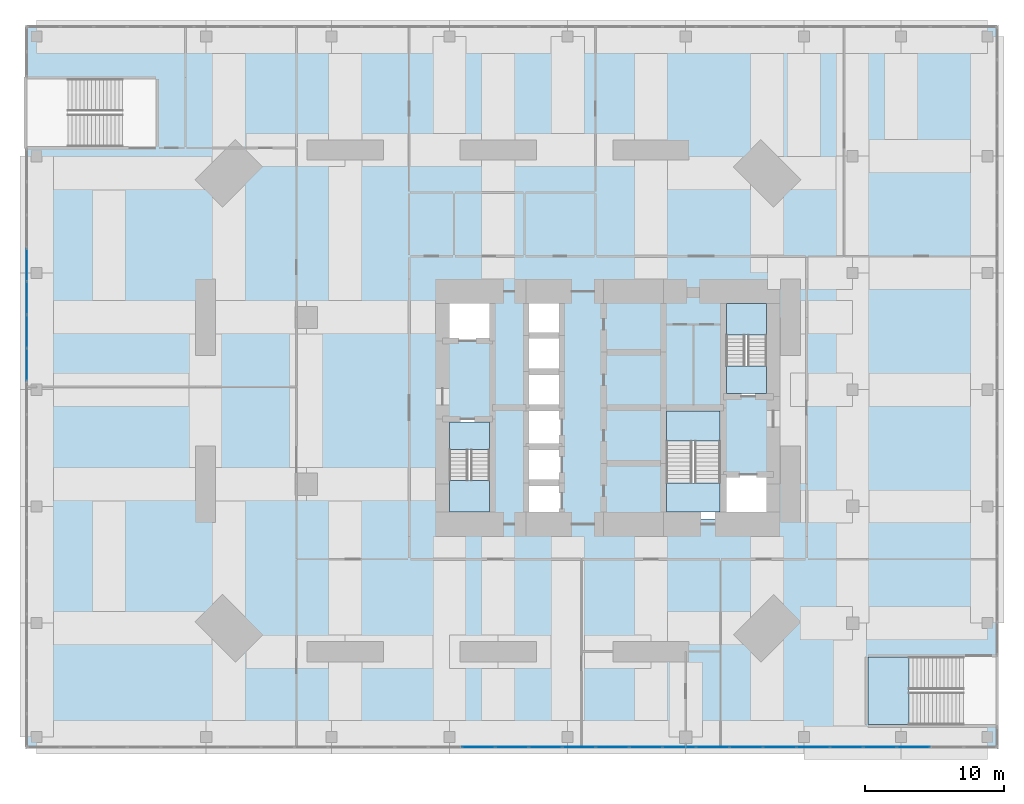
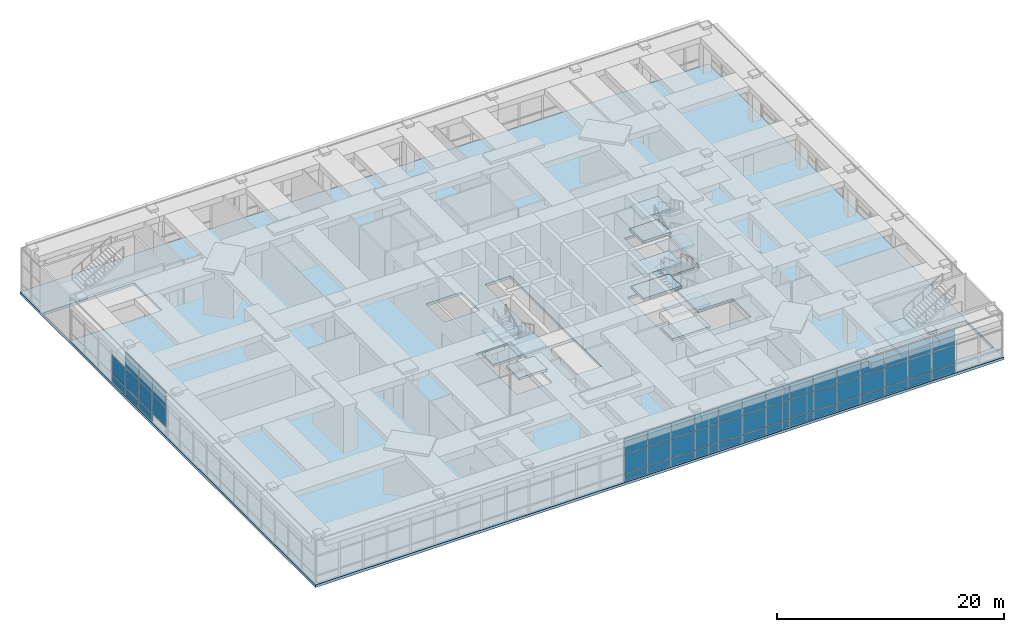
# One storey, part 14 of 22: 52 plates, 14 slabs, 6 elements without a shape of their own.
"""IFC4 building model written with IfcOpenShell, lengths in metres."""

import ifcopenshell
import ifcopenshell.guid

model = None  # the IFC model being written
_history = None  # IfcOwnerHistory: only IFC2X3 demands one
_inside = {}  # id of a spatial element -> (the spatial element, [elements in it])
_under = {}  # id of a project, library or spatial element -> (it, [spatial elements below it])
_declared = {}  # id of a project -> (the project, [libraries it declares])
_typed = {}  # id of a type object -> (the type object, [elements of that type])
_made_of = {}  # id of a material, layer set ... -> (it, [elements and type objects made of it])


def new_model(schema):
    """Start an empty IFC model of exactly this schema.

    Asked for "IFC4X3", IfcOpenShell would pick the latest addendum, in which some entities
    have other attributes; the version numbers below select the first issue.
    IFC2X3 requires an IfcOwnerHistory on every rooted entity: one is made here for all.
    """
    global model, _history
    if schema == "IFC4X3":
        model = ifcopenshell.file(schema_version=(4, 3, 0, 0))
    else:
        model = ifcopenshell.file(schema=schema)
    _inside.clear()
    _under.clear()
    _declared.clear()
    _typed.clear()
    _made_of.clear()
    _history = None
    if model.schema == "IFC2X3":
        org = make("IfcOrganization", Name="unknown")
        user = make(
            "IfcPersonAndOrganization",
            ThePerson=make("IfcPerson", FamilyName="unknown"),
            TheOrganization=org,
        )
        app = make(
            "IfcApplication",
            ApplicationDeveloper=org,
            Version="unknown",
            ApplicationFullName="unknown",
            ApplicationIdentifier="unknown",
        )
        _history = make(
            "IfcOwnerHistory",
            OwningUser=user,
            OwningApplication=app,
            ChangeAction="ADDED",
            CreationDate=0,
        )
    return model


def make(cls, **values):
    """One entity of the class cls with the attributes given. An attribute that is None is left unset."""
    return model.create_entity(
        cls, **{name: value for name, value in values.items() if value is not None}
    )


def rooted(cls, **values):
    """An entity with a GlobalId (a new one), such as an element, a storey or a relation."""
    return make(cls, GlobalId=ifcopenshell.guid.new(), OwnerHistory=_history, **values)


def si_unit(unit_type, name, prefix=None):
    """IfcSIUnit, for example si_unit("LENGTHUNIT", "METRE", prefix="MILLI")."""
    return make("IfcSIUnit", UnitType=unit_type, Prefix=prefix, Name=name)


def assignment(units):
    """IfcUnitAssignment: the units of a project."""
    return None if units is None else make("IfcUnitAssignment", Units=units)


def point(xyz):
    """IfcCartesianPoint."""
    return None if xyz is None else make("IfcCartesianPoint", Coordinates=xyz)


def direction(xyz):
    """IfcDirection."""
    return None if xyz is None else make("IfcDirection", DirectionRatios=xyz)


def frame(location, z_axis=None, x_axis=None):
    """IfcAxis2Placement3D, a coordinate frame: its origin and axes. An axis left out is left unset."""
    return make(
        "IfcAxis2Placement3D",
        Location=point(location),
        Axis=direction(z_axis),
        RefDirection=direction(x_axis),
    )


def frame_2d(location, x_axis=None):
    """IfcAxis2Placement2D, a coordinate frame in the plane: its origin and x axis."""
    return make(
        "IfcAxis2Placement2D", Location=point(location), RefDirection=direction(x_axis)
    )


def origin():
    """The frame at (0, 0, 0) with its axes left unset."""
    return frame((0.0, 0.0, 0.0))


def origin_2d():
    """The frame at (0, 0) in the plane with its x axis left unset."""
    return frame_2d((0.0, 0.0))


def place(relative_to, where):
    """IfcLocalPlacement: puts the frame where relative to a parent placement (None: the world)."""
    return make(
        "IfcLocalPlacement", PlacementRelTo=relative_to, RelativePlacement=where
    )


def context(
    kind, dimensions, precision=None, world=None, true_north=None, identifier=None
):
    """IfcGeometricRepresentationContext, for example the 3D "Model" context."""
    return make(
        "IfcGeometricRepresentationContext",
        ContextIdentifier=identifier,
        ContextType=kind,
        CoordinateSpaceDimension=dimensions,
        Precision=precision,
        WorldCoordinateSystem=world,
        TrueNorth=true_north,
    )


def subcontext(parent, identifier, kind, view, scale=None):
    """IfcGeometricRepresentationSubContext, for example "Body" below "Model"."""
    return make(
        "IfcGeometricRepresentationSubContext",
        ContextIdentifier=identifier,
        ContextType=kind,
        ParentContext=parent,
        TargetScale=scale,
        TargetView=view,
    )


def project(units=None, contexts=None):
    """IfcProject with its units and contexts."""
    return rooted(
        "IfcProject",
        Name="project",
        RepresentationContexts=contexts,
        UnitsInContext=assignment(units),
    )


def spatial(cls, under=None, at=None, **own):
    """A site, building, storey or space (cls), placed at a placement, below another one or the project."""
    s = rooted(cls, ObjectPlacement=at, **own)
    if under is not None:
        _under.setdefault(under.id(), (under, []))[1].append(s)
    return s


def polyline(points):
    """IfcPolyline through the points."""
    return make("IfcPolyline", Points=[point(p) for p in points])


def profile(cls, at=None, kind="AREA", **sizes):
    """A parametric profile (cls). Its sizes go by their IFC names, for example OverallWidth=200.0."""
    return make(cls, ProfileType=kind, Position=at, **sizes)


def rectangle(**sizes):
    """IfcRectangleProfileDef."""
    return profile("IfcRectangleProfileDef", **sizes)


def outline(outer, holes=None, kind="AREA"):
    """IfcArbitraryClosedProfileDef: a profile drawn as a closed curve; with holes, ...WithVoids."""
    if holes is None:
        return make("IfcArbitraryClosedProfileDef", ProfileType=kind, OuterCurve=outer)
    return make(
        "IfcArbitraryProfileDefWithVoids",
        ProfileType=kind,
        OuterCurve=outer,
        InnerCurves=holes,
    )


def extrude(swept, where, along, depth):
    """IfcExtrudedAreaSolid: the profile swept, set in the frame where, extruded along a direction by depth."""
    return make(
        "IfcExtrudedAreaSolid",
        SweptArea=swept,
        Position=where,
        ExtrudedDirection=direction(along),
        Depth=depth,
    )


def shape(context_of_items, identifier, shape_type, items):
    """IfcShapeRepresentation: the items that make up one representation, for example the "Body"."""
    return make(
        "IfcShapeRepresentation",
        ContextOfItems=context_of_items,
        RepresentationIdentifier=identifier,
        RepresentationType=shape_type,
        Items=items,
    )


def material(Name=None, Category=None):
    """IfcMaterial."""
    return make("IfcMaterial", Name=Name, Category=Category)


def layer(
    of_material, thickness, ventilated=None, Name=None, Category=None, Priority=None
):
    """IfcMaterialLayer: one layer of a wall or slab, of a material (None: an air gap)."""
    return make(
        "IfcMaterialLayer",
        Material=of_material,
        LayerThickness=thickness,
        IsVentilated=ventilated,
        Name=Name,
        Category=Category,
        Priority=Priority,
    )


def layer_set(layers, Name=None):
    """IfcMaterialLayerSet."""
    return make("IfcMaterialLayerSet", MaterialLayers=layers, LayerSetName=Name)


def made_of(thing, what):
    """Note that an element or type object is made of a material, layer set ...; save() writes the relation."""
    if what is not None:
        _made_of.setdefault(what.id(), (what, []))[1].append(thing)
    return thing


def type_object(cls, material=None, **own):
    """A type object (cls), such as IfcWallType, which elements share."""
    return made_of(rooted(cls, **own), material)


def element(
    cls,
    number,
    at=None,
    inside=None,
    cuts=None,
    type_object=None,
    material=None,
    context=None,
    identifier="Body",
    shape_type=None,
    held_by="IfcProductDefinitionShape",
    body=None,
    shapes=None,
    **own,
):
    """One element of the class cls, such as IfcWall. Its Tag is "e" and its number.

    at: its placement. inside: the storey or other place that contains it. cuts: it is an
    opening in that element (IfcRelVoidsElement). A single representation is given by context,
    identifier, shape_type and body (its items); several are given by shapes. held_by: the class
    of the entity that holds the representations. save() writes the other relations.
    """
    e = rooted(cls, Tag="e%d" % number, ObjectPlacement=at, **own)
    if body is not None:
        shapes = [shape(context, identifier, shape_type, body)]
    if shapes is not None:
        e.Representation = make(held_by, Representations=shapes)
    if inside is not None:
        _inside.setdefault(inside.id(), (inside, []))[1].append(e)
    if cuts is not None:
        rooted(
            "IfcRelVoidsElement", RelatingBuildingElement=cuts, RelatedOpeningElement=e
        )
    if type_object is not None:
        _typed.setdefault(type_object.id(), (type_object, []))[1].append(e)
    return made_of(e, material)


def aggregate(whole, parts):
    """IfcRelAggregates: a whole, such as a stair, and the parts it consists of."""
    return rooted("IfcRelAggregates", RelatingObject=whole, RelatedObjects=parts)


def save(model, path):
    """Write the relations noted so far, then the file.

    IfcRelAggregates (storeys below a building ...), IfcRelContainedInSpatialStructure (elements
    in a storey), IfcRelDefinesByType, IfcRelAssociatesMaterial and IfcRelDeclares: one each for
    every whole, place, type object, material and project.
    """
    for whole, parts in _under.values():
        aggregate(whole, parts)
    for where, things in _inside.values():
        rooted(
            "IfcRelContainedInSpatialStructure",
            RelatedElements=things,
            RelatingStructure=where,
        )
    for kind, things in _typed.values():
        rooted("IfcRelDefinesByType", RelatedObjects=things, RelatingType=kind)
    for what, things in _made_of.values():
        rooted("IfcRelAssociatesMaterial", RelatedObjects=things, RelatingMaterial=what)
    for by, libraries in _declared.values():
        rooted("IfcRelDeclares", RelatingContext=by, RelatedDefinitions=libraries)
    model.write(path)


model = new_model("IFC4")

# Units and contexts
model_context = context("Model", 3, precision=1e-05, world=origin(), true_north=direction((0.0, 1.0)))
body_context = subcontext(model_context, "Body", "Model", "MODEL_VIEW")
ifc_project = project(units=[si_unit("LENGTHUNIT", "METRE"), si_unit("AREAUNIT", "SQUARE_METRE"), si_unit("VOLUMEUNIT", "CUBIC_METRE"), si_unit("PLANEANGLEUNIT", "RADIAN"), si_unit("MASSUNIT", "GRAM", prefix="KILO")], contexts=[model_context])

# Site, building, storey
site_placement = place(None, origin())
site = spatial("IfcSite", under=ifc_project, at=site_placement, CompositionType="ELEMENT")
building_placement = place(site_placement, origin())
building = spatial("IfcBuilding", under=site, at=building_placement, Name="Jalousie Tower", CompositionType="ELEMENT")
storey_placement = place(building_placement, frame((0.0, 0.0, 6.0)))
storey = spatial("IfcBuildingStorey", under=building, at=storey_placement, Name="L01", CompositionType="ELEMENT", Elevation=6.0)

# Slab
ifc_material_1 = material(Name="Concrete f'c 40 MPa", Category="concrete")
ifc_layer_1 = layer(ifc_material_1, 0.280029296875)
ifc_layer_set_1 = layer_set([ifc_layer_1], Name="Concrete f'c 40 MPa")
slab_type_1 = type_object("IfcSlabType", Name="FLOOR SLAB 280", PredefinedType="FLOOR", material=ifc_layer_set_1)
slab_1_placement = place(storey_placement, frame((0.0, 0.0, -0.280029296875)))
element("IfcSlab", 1, at=slab_1_placement, inside=storey, type_object=slab_type_1, Name="L01 floor slab", PredefinedType="FLOOR", context=body_context, shape_type="SweptSolid", body=[
    extrude(outline(polyline([(-10.0, -6.0), (60.0, -6.0), (60.0, 46.0), (-10.0, 46.0), (-10.0, -6.0)]), holes=[polyline([(26.0, 10.5), (26.0, 26.5), (28.60009765625, 26.5), (28.60009765625, 10.5), (26.0, 10.5)]), polyline([(20.0, 10.5), (23.60009765625, 10.5), (23.60009765625, 17.699951171875), (20.0, 17.699951171875), (20.0, 10.5)]), polyline([(20.0, 23.300048828125), (23.60009765625, 23.300048828125), (23.60009765625, 26.5), (20.0, 26.5), (20.0, 23.300048828125)]), polyline([(-9.89990234375, 37.300048828125), (-0.60009765625, 37.300048828125), (-0.60009765625, 42.14990234375), (-9.89990234375, 42.14990234375), (-9.89990234375, 37.300048828125)]), polyline([(50.60009765625, -4.300048828125), (59.89990234375, -4.300048828125), (59.89990234375, 0.550048828125), (50.60009765625, 0.550048828125), (50.60009765625, -4.300048828125)]), polyline([(43.800048828125, 10.5), (35.89990234375, 10.5), (35.89990234375, 18.5), (40.199951171875, 18.5), (40.199951171875, 13.699951171875), (43.800048828125, 13.699951171875), (43.800048828125, 10.5)]), polyline([(40.199951171875, 19.300048828125), (43.800048828125, 19.300048828125), (43.800048828125, 26.5), (40.199951171875, 26.5), (40.199951171875, 19.300048828125)])]), origin(), (0.0, 0.0, 1.0), 0.280029296875),
])

# Curtain wall, plates
ifc_material_2 = material(Name="Aluminium curtain wall", Category="aluminium")
curtain_wall_type = type_object("IfcCurtainWallType", Name="PODIUM WINDOW WALL", PredefinedType="USERDEFINED", material=ifc_material_2)
curtain_wall_1_placement = place(storey_placement, origin())
curtain_wall_1 = element("IfcCurtainWall", 2, at=curtain_wall_1_placement, inside=storey, type_object=curtain_wall_type, Name="Podium Window Wall L01 1", ObjectType="PODIUM WINDOW WALL", PredefinedType="USERDEFINED")
ifc_material_3 = material(Name="Laminated impact-rated glass", Category="glass")
ifc_layer_2 = layer(ifc_material_3, 0.030029296875)
ifc_layer_set_2 = layer_set([ifc_layer_2], Name="Laminated impact-rated glass")
plate_type = type_object("IfcPlateType", Name="PODIUM WINDOW WALL PANEL", PredefinedType="CURTAIN_PANEL", material=ifc_layer_set_2)
plate_1_placement = place(storey_placement, frame((22.59228515625, -5.91259765625, 0.070068359375), z_axis=(0.0, 0.0, 1.0), x_axis=(1.0, 0.0, 0.0)))
plate_1 = element("IfcPlate", 3, at=plate_1_placement, type_object=plate_type, Name="CW-P panel 14.1", PredefinedType="CURTAIN_PANEL", context=body_context, shape_type="SweptSolid", body=[
    extrude(rectangle(XDim=2.337646484375, YDim=0.030029296875, at=origin_2d()), origin(), (0.0, 0.0, 1.0), 0.794921875),
])
plate_2_placement = place(storey_placement, frame((22.59228515625, -5.91259765625, 0.93505859375), z_axis=(0.0, 0.0, 1.0), x_axis=(1.0, 0.0, 0.0)))
plate_2 = element("IfcPlate", 4, at=plate_2_placement, type_object=plate_type, Name="CW-P panel 14.2", PredefinedType="CURTAIN_PANEL", context=body_context, shape_type="SweptSolid", body=[
    extrude(rectangle(XDim=2.337646484375, YDim=0.030029296875, at=origin_2d()), origin(), (0.0, 0.0, 1.0), 2.030029296875),
])
plate_3_placement = place(storey_placement, frame((22.59228515625, -5.91259765625, 3.03515625), z_axis=(0.0, 0.0, 1.0), x_axis=(1.0, 0.0, 0.0)))
plate_3 = element("IfcPlate", 5, at=plate_3_placement, type_object=plate_type, Name="CW-P panel 14.3", PredefinedType="CURTAIN_PANEL", context=body_context, shape_type="SweptSolid", body=[
    extrude(rectangle(XDim=2.337646484375, YDim=0.030029296875, at=origin_2d()), origin(), (0.0, 0.0, 1.0), 1.614990234375),
])
plate_4_placement = place(storey_placement, frame((25.0, -5.91259765625, 0.070068359375), z_axis=(0.0, 0.0, 1.0), x_axis=(1.0, 0.0, 0.0)))
plate_4 = element("IfcPlate", 6, at=plate_4_placement, type_object=plate_type, Name="CW-P panel 15.1", PredefinedType="CURTAIN_PANEL", context=body_context, shape_type="SweptSolid", body=[
    extrude(rectangle(XDim=2.337646484375, YDim=0.030029296875, at=origin_2d()), origin(), (0.0, 0.0, 1.0), 0.794921875),
])
plate_5_placement = place(storey_placement, frame((25.0, -5.91259765625, 0.93505859375), z_axis=(0.0, 0.0, 1.0), x_axis=(1.0, 0.0, 0.0)))
plate_5 = element("IfcPlate", 7, at=plate_5_placement, type_object=plate_type, Name="CW-P panel 15.2", PredefinedType="CURTAIN_PANEL", context=body_context, shape_type="SweptSolid", body=[
    extrude(rectangle(XDim=2.337646484375, YDim=0.030029296875, at=origin_2d()), origin(), (0.0, 0.0, 1.0), 2.030029296875),
])
plate_6_placement = place(storey_placement, frame((25.0, -5.91259765625, 3.03515625), z_axis=(0.0, 0.0, 1.0), x_axis=(1.0, 0.0, 0.0)))
plate_6 = element("IfcPlate", 8, at=plate_6_placement, type_object=plate_type, Name="CW-P panel 15.3", PredefinedType="CURTAIN_PANEL", context=body_context, shape_type="SweptSolid", body=[
    extrude(rectangle(XDim=2.337646484375, YDim=0.030029296875, at=origin_2d()), origin(), (0.0, 0.0, 1.0), 1.614990234375),
])
plate_7_placement = place(storey_placement, frame((27.40771484375, -5.91259765625, 0.070068359375), z_axis=(0.0, 0.0, 1.0), x_axis=(1.0, 0.0, 0.0)))
plate_7 = element("IfcPlate", 9, at=plate_7_placement, type_object=plate_type, Name="CW-P panel 16.1", PredefinedType="CURTAIN_PANEL", context=body_context, shape_type="SweptSolid", body=[
    extrude(rectangle(XDim=2.337646484375, YDim=0.030029296875, at=origin_2d()), origin(), (0.0, 0.0, 1.0), 0.794921875),
])
plate_8_placement = place(storey_placement, frame((27.40771484375, -5.91259765625, 0.93505859375), z_axis=(0.0, 0.0, 1.0), x_axis=(1.0, 0.0, 0.0)))
plate_8 = element("IfcPlate", 10, at=plate_8_placement, type_object=plate_type, Name="CW-P panel 16.2", PredefinedType="CURTAIN_PANEL", context=body_context, shape_type="SweptSolid", body=[
    extrude(rectangle(XDim=2.337646484375, YDim=0.030029296875, at=origin_2d()), origin(), (0.0, 0.0, 1.0), 2.030029296875),
])
plate_9_placement = place(storey_placement, frame((27.40771484375, -5.91259765625, 3.03515625), z_axis=(0.0, 0.0, 1.0), x_axis=(1.0, 0.0, 0.0)))
plate_9 = element("IfcPlate", 11, at=plate_9_placement, type_object=plate_type, Name="CW-P panel 16.3", PredefinedType="CURTAIN_PANEL", context=body_context, shape_type="SweptSolid", body=[
    extrude(rectangle(XDim=2.337646484375, YDim=0.030029296875, at=origin_2d()), origin(), (0.0, 0.0, 1.0), 1.614990234375),
])
plate_10_placement = place(storey_placement, frame((29.8154296875, -5.91259765625, 0.070068359375), z_axis=(0.0, 0.0, 1.0), x_axis=(1.0, 0.0, 0.0)))
plate_10 = element("IfcPlate", 12, at=plate_10_placement, type_object=plate_type, Name="CW-P panel 17.1", PredefinedType="CURTAIN_PANEL", context=body_context, shape_type="SweptSolid", body=[
    extrude(rectangle(XDim=2.337646484375, YDim=0.030029296875, at=origin_2d()), origin(), (0.0, 0.0, 1.0), 0.794921875),
])
plate_11_placement = place(storey_placement, frame((29.8154296875, -5.91259765625, 0.93505859375), z_axis=(0.0, 0.0, 1.0), x_axis=(1.0, 0.0, 0.0)))
plate_11 = element("IfcPlate", 13, at=plate_11_placement, type_object=plate_type, Name="CW-P panel 17.2", PredefinedType="CURTAIN_PANEL", context=body_context, shape_type="SweptSolid", body=[
    extrude(rectangle(XDim=2.337646484375, YDim=0.030029296875, at=origin_2d()), origin(), (0.0, 0.0, 1.0), 2.030029296875),
])
plate_12_placement = place(storey_placement, frame((29.8154296875, -5.91259765625, 3.03515625), z_axis=(0.0, 0.0, 1.0), x_axis=(1.0, 0.0, 0.0)))
plate_12 = element("IfcPlate", 14, at=plate_12_placement, type_object=plate_type, Name="CW-P panel 17.3", PredefinedType="CURTAIN_PANEL", context=body_context, shape_type="SweptSolid", body=[
    extrude(rectangle(XDim=2.337646484375, YDim=0.030029296875, at=origin_2d()), origin(), (0.0, 0.0, 1.0), 1.614990234375),
])
plate_13_placement = place(storey_placement, frame((32.223388671875, -5.91259765625, 0.070068359375), z_axis=(0.0, 0.0, 1.0), x_axis=(1.0, 0.0, 0.0)))
plate_13 = element("IfcPlate", 15, at=plate_13_placement, type_object=plate_type, Name="CW-P panel 18.1", PredefinedType="CURTAIN_PANEL", context=body_context, shape_type="SweptSolid", body=[
    extrude(rectangle(XDim=2.337646484375, YDim=0.030029296875, at=origin_2d()), origin(), (0.0, 0.0, 1.0), 0.794921875),
])
plate_14_placement = place(storey_placement, frame((32.223388671875, -5.91259765625, 0.93505859375), z_axis=(0.0, 0.0, 1.0), x_axis=(1.0, 0.0, 0.0)))
plate_14 = element("IfcPlate", 16, at=plate_14_placement, type_object=plate_type, Name="CW-P panel 18.2", PredefinedType="CURTAIN_PANEL", context=body_context, shape_type="SweptSolid", body=[
    extrude(rectangle(XDim=2.337646484375, YDim=0.030029296875, at=origin_2d()), origin(), (0.0, 0.0, 1.0), 2.030029296875),
])
plate_15_placement = place(storey_placement, frame((32.223388671875, -5.91259765625, 3.03515625), z_axis=(0.0, 0.0, 1.0), x_axis=(1.0, 0.0, 0.0)))
plate_15 = element("IfcPlate", 17, at=plate_15_placement, type_object=plate_type, Name="CW-P panel 18.3", PredefinedType="CURTAIN_PANEL", context=body_context, shape_type="SweptSolid", body=[
    extrude(rectangle(XDim=2.337646484375, YDim=0.030029296875, at=origin_2d()), origin(), (0.0, 0.0, 1.0), 1.614990234375),
])
plate_16_placement = place(storey_placement, frame((34.631103515625, -5.91259765625, 0.070068359375), z_axis=(0.0, 0.0, 1.0), x_axis=(1.0, 0.0, 0.0)))
plate_16 = element("IfcPlate", 18, at=plate_16_placement, type_object=plate_type, Name="CW-P panel 19.1", PredefinedType="CURTAIN_PANEL", context=body_context, shape_type="SweptSolid", body=[
    extrude(rectangle(XDim=2.337646484375, YDim=0.030029296875, at=origin_2d()), origin(), (0.0, 0.0, 1.0), 0.794921875),
])
plate_17_placement = place(storey_placement, frame((34.631103515625, -5.91259765625, 0.93505859375), z_axis=(0.0, 0.0, 1.0), x_axis=(1.0, 0.0, 0.0)))
plate_17 = element("IfcPlate", 19, at=plate_17_placement, type_object=plate_type, Name="CW-P panel 19.2", PredefinedType="CURTAIN_PANEL", context=body_context, shape_type="SweptSolid", body=[
    extrude(rectangle(XDim=2.337646484375, YDim=0.030029296875, at=origin_2d()), origin(), (0.0, 0.0, 1.0), 2.030029296875),
])
plate_18_placement = place(storey_placement, frame((34.631103515625, -5.91259765625, 3.03515625), z_axis=(0.0, 0.0, 1.0), x_axis=(1.0, 0.0, 0.0)))
plate_18 = element("IfcPlate", 20, at=plate_18_placement, type_object=plate_type, Name="CW-P panel 19.3", PredefinedType="CURTAIN_PANEL", context=body_context, shape_type="SweptSolid", body=[
    extrude(rectangle(XDim=2.337646484375, YDim=0.030029296875, at=origin_2d()), origin(), (0.0, 0.0, 1.0), 1.614990234375),
])
plate_19_placement = place(storey_placement, frame((37.038818359375, -5.91259765625, 0.070068359375), z_axis=(0.0, 0.0, 1.0), x_axis=(1.0, 0.0, 0.0)))
plate_19 = element("IfcPlate", 21, at=plate_19_placement, type_object=plate_type, Name="CW-P panel 20.1", PredefinedType="CURTAIN_PANEL", context=body_context, shape_type="SweptSolid", body=[
    extrude(rectangle(XDim=2.337646484375, YDim=0.030029296875, at=origin_2d()), origin(), (0.0, 0.0, 1.0), 0.794921875),
])
plate_20_placement = place(storey_placement, frame((37.038818359375, -5.91259765625, 0.93505859375), z_axis=(0.0, 0.0, 1.0), x_axis=(1.0, 0.0, 0.0)))
plate_20 = element("IfcPlate", 22, at=plate_20_placement, type_object=plate_type, Name="CW-P panel 20.2", PredefinedType="CURTAIN_PANEL", context=body_context, shape_type="SweptSolid", body=[
    extrude(rectangle(XDim=2.337646484375, YDim=0.030029296875, at=origin_2d()), origin(), (0.0, 0.0, 1.0), 2.030029296875),
])
plate_21_placement = place(storey_placement, frame((37.038818359375, -5.91259765625, 3.03515625), z_axis=(0.0, 0.0, 1.0), x_axis=(1.0, 0.0, 0.0)))
plate_21 = element("IfcPlate", 23, at=plate_21_placement, type_object=plate_type, Name="CW-P panel 20.3", PredefinedType="CURTAIN_PANEL", context=body_context, shape_type="SweptSolid", body=[
    extrude(rectangle(XDim=2.337646484375, YDim=0.030029296875, at=origin_2d()), origin(), (0.0, 0.0, 1.0), 1.614990234375),
])
plate_22_placement = place(storey_placement, frame((39.446533203125, -5.91259765625, 0.070068359375), z_axis=(0.0, 0.0, 1.0), x_axis=(1.0, 0.0, 0.0)))
plate_22 = element("IfcPlate", 24, at=plate_22_placement, type_object=plate_type, Name="CW-P panel 21.1", PredefinedType="CURTAIN_PANEL", context=body_context, shape_type="SweptSolid", body=[
    extrude(rectangle(XDim=2.337646484375, YDim=0.030029296875, at=origin_2d()), origin(), (0.0, 0.0, 1.0), 0.794921875),
])
plate_23_placement = place(storey_placement, frame((39.446533203125, -5.91259765625, 0.93505859375), z_axis=(0.0, 0.0, 1.0), x_axis=(1.0, 0.0, 0.0)))
plate_23 = element("IfcPlate", 25, at=plate_23_placement, type_object=plate_type, Name="CW-P panel 21.2", PredefinedType="CURTAIN_PANEL", context=body_context, shape_type="SweptSolid", body=[
    extrude(rectangle(XDim=2.337646484375, YDim=0.030029296875, at=origin_2d()), origin(), (0.0, 0.0, 1.0), 2.030029296875),
])
plate_24_placement = place(storey_placement, frame((39.446533203125, -5.91259765625, 3.03515625), z_axis=(0.0, 0.0, 1.0), x_axis=(1.0, 0.0, 0.0)))
plate_24 = element("IfcPlate", 26, at=plate_24_placement, type_object=plate_type, Name="CW-P panel 21.3", PredefinedType="CURTAIN_PANEL", context=body_context, shape_type="SweptSolid", body=[
    extrude(rectangle(XDim=2.337646484375, YDim=0.030029296875, at=origin_2d()), origin(), (0.0, 0.0, 1.0), 1.614990234375),
])
plate_25_placement = place(storey_placement, frame((41.854248046875, -5.91259765625, 0.070068359375), z_axis=(0.0, 0.0, 1.0), x_axis=(1.0, 0.0, 0.0)))
plate_25 = element("IfcPlate", 27, at=plate_25_placement, type_object=plate_type, Name="CW-P panel 22.1", PredefinedType="CURTAIN_PANEL", context=body_context, shape_type="SweptSolid", body=[
    extrude(rectangle(XDim=2.337646484375, YDim=0.030029296875, at=origin_2d()), origin(), (0.0, 0.0, 1.0), 0.794921875),
])
plate_26_placement = place(storey_placement, frame((41.854248046875, -5.91259765625, 0.93505859375), z_axis=(0.0, 0.0, 1.0), x_axis=(1.0, 0.0, 0.0)))
plate_26 = element("IfcPlate", 28, at=plate_26_placement, type_object=plate_type, Name="CW-P panel 22.2", PredefinedType="CURTAIN_PANEL", context=body_context, shape_type="SweptSolid", body=[
    extrude(rectangle(XDim=2.337646484375, YDim=0.030029296875, at=origin_2d()), origin(), (0.0, 0.0, 1.0), 2.030029296875),
])
plate_27_placement = place(storey_placement, frame((41.854248046875, -5.91259765625, 3.03515625), z_axis=(0.0, 0.0, 1.0), x_axis=(1.0, 0.0, 0.0)))
plate_27 = element("IfcPlate", 29, at=plate_27_placement, type_object=plate_type, Name="CW-P panel 22.3", PredefinedType="CURTAIN_PANEL", context=body_context, shape_type="SweptSolid", body=[
    extrude(rectangle(XDim=2.337646484375, YDim=0.030029296875, at=origin_2d()), origin(), (0.0, 0.0, 1.0), 1.614990234375),
])
plate_28_placement = place(storey_placement, frame((44.261962890625, -5.91259765625, 0.070068359375), z_axis=(0.0, 0.0, 1.0), x_axis=(1.0, 0.0, 0.0)))
plate_28 = element("IfcPlate", 30, at=plate_28_placement, type_object=plate_type, Name="CW-P panel 23.1", PredefinedType="CURTAIN_PANEL", context=body_context, shape_type="SweptSolid", body=[
    extrude(rectangle(XDim=2.337646484375, YDim=0.030029296875, at=origin_2d()), origin(), (0.0, 0.0, 1.0), 0.794921875),
])
plate_29_placement = place(storey_placement, frame((44.261962890625, -5.91259765625, 0.93505859375), z_axis=(0.0, 0.0, 1.0), x_axis=(1.0, 0.0, 0.0)))
plate_29 = element("IfcPlate", 31, at=plate_29_placement, type_object=plate_type, Name="CW-P panel 23.2", PredefinedType="CURTAIN_PANEL", context=body_context, shape_type="SweptSolid", body=[
    extrude(rectangle(XDim=2.337646484375, YDim=0.030029296875, at=origin_2d()), origin(), (0.0, 0.0, 1.0), 2.030029296875),
])
plate_30_placement = place(storey_placement, frame((44.261962890625, -5.91259765625, 3.03515625), z_axis=(0.0, 0.0, 1.0), x_axis=(1.0, 0.0, 0.0)))
plate_30 = element("IfcPlate", 32, at=plate_30_placement, type_object=plate_type, Name="CW-P panel 23.3", PredefinedType="CURTAIN_PANEL", context=body_context, shape_type="SweptSolid", body=[
    extrude(rectangle(XDim=2.337646484375, YDim=0.030029296875, at=origin_2d()), origin(), (0.0, 0.0, 1.0), 1.614990234375),
])
plate_31_placement = place(storey_placement, frame((46.669921875, -5.91259765625, 0.070068359375), z_axis=(0.0, 0.0, 1.0), x_axis=(1.0, 0.0, 0.0)))
plate_31 = element("IfcPlate", 33, at=plate_31_placement, type_object=plate_type, Name="CW-P panel 24.1", PredefinedType="CURTAIN_PANEL", context=body_context, shape_type="SweptSolid", body=[
    extrude(rectangle(XDim=2.337646484375, YDim=0.030029296875, at=origin_2d()), origin(), (0.0, 0.0, 1.0), 0.794921875),
])
plate_32_placement = place(storey_placement, frame((46.669921875, -5.91259765625, 0.93505859375), z_axis=(0.0, 0.0, 1.0), x_axis=(1.0, 0.0, 0.0)))
plate_32 = element("IfcPlate", 34, at=plate_32_placement, type_object=plate_type, Name="CW-P panel 24.2", PredefinedType="CURTAIN_PANEL", context=body_context, shape_type="SweptSolid", body=[
    extrude(rectangle(XDim=2.337646484375, YDim=0.030029296875, at=origin_2d()), origin(), (0.0, 0.0, 1.0), 2.030029296875),
])
plate_33_placement = place(storey_placement, frame((46.669921875, -5.91259765625, 3.03515625), z_axis=(0.0, 0.0, 1.0), x_axis=(1.0, 0.0, 0.0)))
plate_33 = element("IfcPlate", 35, at=plate_33_placement, type_object=plate_type, Name="CW-P panel 24.3", PredefinedType="CURTAIN_PANEL", context=body_context, shape_type="SweptSolid", body=[
    extrude(rectangle(XDim=2.337646484375, YDim=0.030029296875, at=origin_2d()), origin(), (0.0, 0.0, 1.0), 1.614990234375),
])
plate_34_placement = place(storey_placement, frame((49.07763671875, -5.91259765625, 0.070068359375), z_axis=(0.0, 0.0, 1.0), x_axis=(1.0, 0.0, 0.0)))
plate_34 = element("IfcPlate", 36, at=plate_34_placement, type_object=plate_type, Name="CW-P panel 25.1", PredefinedType="CURTAIN_PANEL", context=body_context, shape_type="SweptSolid", body=[
    extrude(rectangle(XDim=2.337646484375, YDim=0.030029296875, at=origin_2d()), origin(), (0.0, 0.0, 1.0), 0.794921875),
])
plate_35_placement = place(storey_placement, frame((49.07763671875, -5.91259765625, 0.93505859375), z_axis=(0.0, 0.0, 1.0), x_axis=(1.0, 0.0, 0.0)))
plate_35 = element("IfcPlate", 37, at=plate_35_placement, type_object=plate_type, Name="CW-P panel 25.2", PredefinedType="CURTAIN_PANEL", context=body_context, shape_type="SweptSolid", body=[
    extrude(rectangle(XDim=2.337646484375, YDim=0.030029296875, at=origin_2d()), origin(), (0.0, 0.0, 1.0), 2.030029296875),
])
plate_36_placement = place(storey_placement, frame((49.07763671875, -5.91259765625, 3.03515625), z_axis=(0.0, 0.0, 1.0), x_axis=(1.0, 0.0, 0.0)))
plate_36 = element("IfcPlate", 38, at=plate_36_placement, type_object=plate_type, Name="CW-P panel 25.3", PredefinedType="CURTAIN_PANEL", context=body_context, shape_type="SweptSolid", body=[
    extrude(rectangle(XDim=2.337646484375, YDim=0.030029296875, at=origin_2d()), origin(), (0.0, 0.0, 1.0), 1.614990234375),
])
plate_37_placement = place(storey_placement, frame((51.4853515625, -5.91259765625, 0.070068359375), z_axis=(0.0, 0.0, 1.0), x_axis=(1.0, 0.0, 0.0)))
plate_37 = element("IfcPlate", 39, at=plate_37_placement, type_object=plate_type, Name="CW-P panel 26.1", PredefinedType="CURTAIN_PANEL", context=body_context, shape_type="SweptSolid", body=[
    extrude(rectangle(XDim=2.337646484375, YDim=0.030029296875, at=origin_2d()), origin(), (0.0, 0.0, 1.0), 0.794921875),
])
plate_38_placement = place(storey_placement, frame((51.4853515625, -5.91259765625, 0.93505859375), z_axis=(0.0, 0.0, 1.0), x_axis=(1.0, 0.0, 0.0)))
plate_38 = element("IfcPlate", 40, at=plate_38_placement, type_object=plate_type, Name="CW-P panel 26.2", PredefinedType="CURTAIN_PANEL", context=body_context, shape_type="SweptSolid", body=[
    extrude(rectangle(XDim=2.337646484375, YDim=0.030029296875, at=origin_2d()), origin(), (0.0, 0.0, 1.0), 2.030029296875),
])
plate_39_placement = place(storey_placement, frame((51.4853515625, -5.91259765625, 3.03515625), z_axis=(0.0, 0.0, 1.0), x_axis=(1.0, 0.0, 0.0)))
plate_39 = element("IfcPlate", 41, at=plate_39_placement, type_object=plate_type, Name="CW-P panel 26.3", PredefinedType="CURTAIN_PANEL", context=body_context, shape_type="SweptSolid", body=[
    extrude(rectangle(XDim=2.337646484375, YDim=0.030029296875, at=origin_2d()), origin(), (0.0, 0.0, 1.0), 1.614990234375),
])
plate_40_placement = place(storey_placement, frame((53.89306640625, -5.91259765625, 0.070068359375), z_axis=(0.0, 0.0, 1.0), x_axis=(1.0, 0.0, 0.0)))
plate_40 = element("IfcPlate", 42, at=plate_40_placement, type_object=plate_type, Name="CW-P panel 27.1", PredefinedType="CURTAIN_PANEL", context=body_context, shape_type="SweptSolid", body=[
    extrude(rectangle(XDim=2.337646484375, YDim=0.030029296875, at=origin_2d()), origin(), (0.0, 0.0, 1.0), 0.794921875),
])
plate_41_placement = place(storey_placement, frame((53.89306640625, -5.91259765625, 0.93505859375), z_axis=(0.0, 0.0, 1.0), x_axis=(1.0, 0.0, 0.0)))
plate_41 = element("IfcPlate", 43, at=plate_41_placement, type_object=plate_type, Name="CW-P panel 27.2", PredefinedType="CURTAIN_PANEL", context=body_context, shape_type="SweptSolid", body=[
    extrude(rectangle(XDim=2.337646484375, YDim=0.030029296875, at=origin_2d()), origin(), (0.0, 0.0, 1.0), 2.030029296875),
])
plate_42_placement = place(storey_placement, frame((53.89306640625, -5.91259765625, 3.03515625), z_axis=(0.0, 0.0, 1.0), x_axis=(1.0, 0.0, 0.0)))
plate_42 = element("IfcPlate", 44, at=plate_42_placement, type_object=plate_type, Name="CW-P panel 27.3", PredefinedType="CURTAIN_PANEL", context=body_context, shape_type="SweptSolid", body=[
    extrude(rectangle(XDim=2.337646484375, YDim=0.030029296875, at=origin_2d()), origin(), (0.0, 0.0, 1.0), 1.614990234375),
])
aggregate(curtain_wall_1, [plate_1, plate_2, plate_3, plate_4, plate_5, plate_6, plate_7, plate_8, plate_9, plate_10, plate_11, plate_12, plate_13, plate_14, plate_15, plate_16, plate_17, plate_18, plate_19, plate_20, plate_21, plate_22, plate_23, plate_24, plate_25, plate_26, plate_27, plate_28, plate_29, plate_30, plate_31, plate_32, plate_33, plate_34, plate_35, plate_36, plate_37, plate_38, plate_39, plate_40, plate_41, plate_42])

curtain_wall_2_placement = place(storey_placement, origin())
curtain_wall_2 = element("IfcCurtainWall", 45, at=curtain_wall_2_placement, inside=storey, type_object=curtain_wall_type, Name="Podium Window Wall L01 33", ObjectType="PODIUM WINDOW WALL", PredefinedType="USERDEFINED")
plate_43_placement = place(storey_placement, frame((-9.91259765625, 28.77685546875, 0.070068359375), z_axis=(0.0, 0.0, 1.0), x_axis=(0.0, -1.0, 0.0)))
plate_43 = element("IfcPlate", 46, at=plate_43_placement, type_object=plate_type, Name="CW-P panel 4.1", PredefinedType="CURTAIN_PANEL", context=body_context, shape_type="SweptSolid", body=[
    extrude(rectangle(XDim=2.322265625, YDim=0.030029296875, at=origin_2d()), origin(), (0.0, 0.0, 1.0), 0.794921875),
])
plate_44_placement = place(storey_placement, frame((-9.91259765625, 28.77685546875, 0.93505859375), z_axis=(0.0, 0.0, 1.0), x_axis=(0.0, -1.0, 0.0)))
plate_44 = element("IfcPlate", 47, at=plate_44_placement, type_object=plate_type, Name="CW-P panel 4.2", PredefinedType="CURTAIN_PANEL", context=body_context, shape_type="SweptSolid", body=[
    extrude(rectangle(XDim=2.322265625, YDim=0.030029296875, at=origin_2d()), origin(), (0.0, 0.0, 1.0), 2.030029296875),
])
plate_45_placement = place(storey_placement, frame((-9.91259765625, 26.38427734375, 0.070068359375), z_axis=(0.0, 0.0, 1.0), x_axis=(0.0, -1.0, 0.0)))
plate_45 = element("IfcPlate", 48, at=plate_45_placement, type_object=plate_type, Name="CW-P panel 5.1", PredefinedType="CURTAIN_PANEL", context=body_context, shape_type="SweptSolid", body=[
    extrude(rectangle(XDim=2.322265625, YDim=0.030029296875, at=origin_2d()), origin(), (0.0, 0.0, 1.0), 0.794921875),
])
plate_46_placement = place(storey_placement, frame((-9.91259765625, 26.38427734375, 0.93505859375), z_axis=(0.0, 0.0, 1.0), x_axis=(0.0, -1.0, 0.0)))
plate_46 = element("IfcPlate", 49, at=plate_46_placement, type_object=plate_type, Name="CW-P panel 5.2", PredefinedType="CURTAIN_PANEL", context=body_context, shape_type="SweptSolid", body=[
    extrude(rectangle(XDim=2.322265625, YDim=0.030029296875, at=origin_2d()), origin(), (0.0, 0.0, 1.0), 2.030029296875),
])
plate_47_placement = place(storey_placement, frame((-9.91259765625, 26.38427734375, 3.03515625), z_axis=(0.0, 0.0, 1.0), x_axis=(0.0, -1.0, 0.0)))
plate_47 = element("IfcPlate", 50, at=plate_47_placement, type_object=plate_type, Name="CW-P panel 5.3", PredefinedType="CURTAIN_PANEL", context=body_context, shape_type="SweptSolid", body=[
    extrude(rectangle(XDim=2.322265625, YDim=0.030029296875, at=origin_2d()), origin(), (0.0, 0.0, 1.0), 1.614990234375),
])
plate_48_placement = place(storey_placement, frame((-9.91259765625, 23.991943359375, 0.070068359375), z_axis=(0.0, 0.0, 1.0), x_axis=(0.0, -1.0, 0.0)))
plate_48 = element("IfcPlate", 51, at=plate_48_placement, type_object=plate_type, Name="CW-P panel 6.1", PredefinedType="CURTAIN_PANEL", context=body_context, shape_type="SweptSolid", body=[
    extrude(rectangle(XDim=2.322265625, YDim=0.030029296875, at=origin_2d()), origin(), (0.0, 0.0, 1.0), 0.794921875),
])
plate_49_placement = place(storey_placement, frame((-9.91259765625, 23.991943359375, 0.93505859375), z_axis=(0.0, 0.0, 1.0), x_axis=(0.0, -1.0, 0.0)))
plate_49 = element("IfcPlate", 52, at=plate_49_placement, type_object=plate_type, Name="CW-P panel 6.2", PredefinedType="CURTAIN_PANEL", context=body_context, shape_type="SweptSolid", body=[
    extrude(rectangle(XDim=2.322265625, YDim=0.030029296875, at=origin_2d()), origin(), (0.0, 0.0, 1.0), 2.030029296875),
])
plate_50_placement = place(storey_placement, frame((-9.91259765625, 23.991943359375, 3.03515625), z_axis=(0.0, 0.0, 1.0), x_axis=(0.0, -1.0, 0.0)))
plate_50 = element("IfcPlate", 53, at=plate_50_placement, type_object=plate_type, Name="CW-P panel 6.3", PredefinedType="CURTAIN_PANEL", context=body_context, shape_type="SweptSolid", body=[
    extrude(rectangle(XDim=2.322265625, YDim=0.030029296875, at=origin_2d()), origin(), (0.0, 0.0, 1.0), 1.614990234375),
])
plate_51_placement = place(storey_placement, frame((-9.91259765625, 21.599609375, 0.93505859375), z_axis=(0.0, 0.0, 1.0), x_axis=(0.0, -1.0, 0.0)))
plate_51 = element("IfcPlate", 54, at=plate_51_placement, type_object=plate_type, Name="CW-P panel 7.2", PredefinedType="CURTAIN_PANEL", context=body_context, shape_type="SweptSolid", body=[
    extrude(rectangle(XDim=2.322265625, YDim=0.030029296875, at=origin_2d()), origin(), (0.0, 0.0, 1.0), 2.030029296875),
])
plate_52_placement = place(storey_placement, frame((-9.91259765625, 21.599609375, 3.03515625), z_axis=(0.0, 0.0, 1.0), x_axis=(0.0, -1.0, 0.0)))
plate_52 = element("IfcPlate", 55, at=plate_52_placement, type_object=plate_type, Name="CW-P panel 7.3", PredefinedType="CURTAIN_PANEL", context=body_context, shape_type="SweptSolid", body=[
    extrude(rectangle(XDim=2.322265625, YDim=0.030029296875, at=origin_2d()), origin(), (0.0, 0.0, 1.0), 1.614990234375),
])
aggregate(curtain_wall_2, [plate_43, plate_44, plate_45, plate_46, plate_47, plate_48, plate_49, plate_50, plate_51, plate_52])

# Stair, slabs
ifc_material_4 = material(Name="Concrete f'c 40 MPa", Category="concrete")
stair_type_1 = type_object("IfcStairType", Name="EXIT STAIR", PredefinedType="HALF_TURN_STAIR", material=ifc_material_4)
stair_1_placement = place(storey_placement, origin())
stair_1 = element("IfcStair", 56, at=stair_1_placement, inside=storey, type_object=stair_type_1, Name="Exit stair A L01", PredefinedType="HALF_TURN_STAIR")
ifc_material_5 = material(Name="Concrete f'c 40 MPa", Category="concrete")
ifc_layer_3 = layer(ifc_material_5, 0.25)
ifc_layer_set_3 = layer_set([ifc_layer_3], Name="Concrete f'c 40 MPa")
slab_type_2 = type_object("IfcSlabType", Name="STAIR LANDING 250", PredefinedType="LANDING", material=ifc_layer_set_3)
slab_2_placement = place(storey_placement, frame((0.0, 0.0, -0.25)))
slab_2 = element("IfcSlab", 57, at=slab_2_placement, type_object=slab_type_2, Name="ST-A landing 1", PredefinedType="LANDING", context=body_context, shape_type="SweptSolid", body=[
    extrude(outline(polyline([(20.5, 15.49755859375), (23.375, 15.49755859375), (23.375, 17.47509765625), (20.5, 17.47509765625), (20.5, 15.49755859375)])), origin(), (0.0, 0.0, 1.0), 0.25),
])
slab_3_placement = place(storey_placement, frame((0.0, 0.0, 1.0)))
slab_3 = element("IfcSlab", 58, at=slab_3_placement, type_object=slab_type_2, Name="ST-A landing 2", PredefinedType="LANDING", context=body_context, shape_type="SweptSolid", body=[
    extrude(outline(polyline([(20.5, 11.0), (23.375, 11.0), (23.375, 13.257568359375), (20.5, 13.257568359375), (20.5, 11.0)])), origin(), (0.0, 0.0, 1.0), 0.25),
])
slab_4_placement = place(storey_placement, frame((0.0, 0.0, 2.25)))
slab_4 = element("IfcSlab", 59, at=slab_4_placement, type_object=slab_type_2, Name="ST-A landing 3", PredefinedType="LANDING", context=body_context, shape_type="SweptSolid", body=[
    extrude(outline(polyline([(20.5, 15.49755859375), (23.375, 15.49755859375), (23.375, 17.47509765625), (20.5, 17.47509765625), (20.5, 15.49755859375)])), origin(), (0.0, 0.0, 1.0), 0.25),
])
slab_5_placement = place(storey_placement, frame((0.0, 0.0, 3.5)))
slab_5 = element("IfcSlab", 60, at=slab_5_placement, type_object=slab_type_2, Name="ST-A landing 4", PredefinedType="LANDING", context=body_context, shape_type="SweptSolid", body=[
    extrude(outline(polyline([(20.5, 11.0), (23.375, 11.0), (23.375, 13.257568359375), (20.5, 13.257568359375), (20.5, 11.0)])), origin(), (0.0, 0.0, 1.0), 0.25),
])
aggregate(stair_1, [slab_2, slab_3, slab_4, slab_5])

stair_2_placement = place(storey_placement, origin())
stair_2 = element("IfcStair", 61, at=stair_2_placement, inside=storey, type_object=stair_type_1, Name="Exit stair B L01", PredefinedType="HALF_TURN_STAIR")
slab_6_placement = place(storey_placement, frame((0.0, 0.0, -0.25)))
slab_6 = element("IfcSlab", 62, at=slab_6_placement, type_object=slab_type_2, Name="ST-B landing 1", PredefinedType="LANDING", context=body_context, shape_type="SweptSolid", body=[
    extrude(outline(polyline([(40.425048828125, 19.52490234375), (43.300048828125, 19.52490234375), (43.300048828125, 21.50244140625), (40.425048828125, 21.50244140625), (40.425048828125, 19.52490234375)])), origin(), (0.0, 0.0, 1.0), 0.25),
])
slab_7_placement = place(storey_placement, frame((0.0, 0.0, 1.0)))
slab_7 = element("IfcSlab", 63, at=slab_7_placement, type_object=slab_type_2, Name="ST-B landing 2", PredefinedType="LANDING", context=body_context, shape_type="SweptSolid", body=[
    extrude(outline(polyline([(40.425048828125, 23.742431640625), (43.300048828125, 23.742431640625), (43.300048828125, 26.0), (40.425048828125, 26.0), (40.425048828125, 23.742431640625)])), origin(), (0.0, 0.0, 1.0), 0.25),
])
slab_8_placement = place(storey_placement, frame((0.0, 0.0, 2.25)))
slab_8 = element("IfcSlab", 64, at=slab_8_placement, type_object=slab_type_2, Name="ST-B landing 3", PredefinedType="LANDING", context=body_context, shape_type="SweptSolid", body=[
    extrude(outline(polyline([(40.425048828125, 19.52490234375), (43.300048828125, 19.52490234375), (43.300048828125, 21.50244140625), (40.425048828125, 21.50244140625), (40.425048828125, 19.52490234375)])), origin(), (0.0, 0.0, 1.0), 0.25),
])
slab_9_placement = place(storey_placement, frame((0.0, 0.0, 3.5)))
slab_9 = element("IfcSlab", 65, at=slab_9_placement, type_object=slab_type_2, Name="ST-B landing 4", PredefinedType="LANDING", context=body_context, shape_type="SweptSolid", body=[
    extrude(outline(polyline([(40.425048828125, 23.742431640625), (43.300048828125, 23.742431640625), (43.300048828125, 26.0), (40.425048828125, 26.0), (40.425048828125, 23.742431640625)])), origin(), (0.0, 0.0, 1.0), 0.25),
])
aggregate(stair_2, [slab_6, slab_7, slab_8, slab_9])

stair_3_placement = place(storey_placement, origin())
stair_3 = element("IfcStair", 66, at=stair_3_placement, inside=storey, type_object=stair_type_1, Name="Exit stair C L01", PredefinedType="HALF_TURN_STAIR")
slab_10_placement = place(storey_placement, frame((0.0, 0.0, -0.25)))
slab_10 = element("IfcSlab", 67, at=slab_10_placement, type_object=slab_type_2, Name="ST-C landing 1", PredefinedType="LANDING", context=body_context, shape_type="SweptSolid", body=[
    extrude(outline(polyline([(36.125, 11.0), (39.97509765625, 11.0), (39.97509765625, 13.097412109375), (36.125, 13.097412109375), (36.125, 11.0)])), origin(), (0.0, 0.0, 1.0), 0.25),
])
slab_11_placement = place(storey_placement, frame((0.0, 0.0, 1.0)))
slab_11 = element("IfcSlab", 68, at=slab_11_placement, type_object=slab_type_2, Name="ST-C landing 2", PredefinedType="LANDING", context=body_context, shape_type="SweptSolid", body=[
    extrude(outline(polyline([(36.125, 16.097412109375), (39.97509765625, 16.097412109375), (39.97509765625, 18.27490234375), (36.125, 18.27490234375), (36.125, 16.097412109375)])), origin(), (0.0, 0.0, 1.0), 0.25),
])
slab_12_placement = place(storey_placement, frame((0.0, 0.0, 2.25)))
slab_12 = element("IfcSlab", 69, at=slab_12_placement, type_object=slab_type_2, Name="ST-C landing 3", PredefinedType="LANDING", context=body_context, shape_type="SweptSolid", body=[
    extrude(outline(polyline([(36.125, 11.0), (39.97509765625, 11.0), (39.97509765625, 13.097412109375), (36.125, 13.097412109375), (36.125, 11.0)])), origin(), (0.0, 0.0, 1.0), 0.25),
])
slab_13_placement = place(storey_placement, frame((0.0, 0.0, 3.5)))
slab_13 = element("IfcSlab", 70, at=slab_13_placement, type_object=slab_type_2, Name="ST-C landing 4", PredefinedType="LANDING", context=body_context, shape_type="SweptSolid", body=[
    extrude(outline(polyline([(36.125, 16.097412109375), (39.97509765625, 16.097412109375), (39.97509765625, 18.27490234375), (36.125, 18.27490234375), (36.125, 16.097412109375)])), origin(), (0.0, 0.0, 1.0), 0.25),
])
aggregate(stair_3, [slab_10, slab_11, slab_12, slab_13])

# Stair, slab
ifc_material_6 = material(Name="Concrete f'c 40 MPa", Category="concrete")
stair_type_2 = type_object("IfcStairType", Name="WIDE EXIT STAIR", PredefinedType="HALF_TURN_STAIR", material=ifc_material_6)
stair_4_placement = place(storey_placement, origin())
stair_4 = element("IfcStair", 71, at=stair_4_placement, inside=storey, type_object=stair_type_2, Name="Exit stair PS2 L01", PredefinedType="HALF_TURN_STAIR")
slab_14_placement = place(storey_placement, frame((0.0, 0.0, 2.25)))
slab_14 = element("IfcSlab", 72, at=slab_14_placement, type_object=slab_type_2, Name="PS2 landing 2", PredefinedType="LANDING", context=body_context, shape_type="SweptSolid", body=[
    extrude(outline(polyline([(53.570068359375, 0.550048828125), (50.60009765625, 0.550048828125), (50.60009765625, -4.300048828125), (53.570068359375, -4.300048828125), (53.570068359375, 0.550048828125)])), origin(), (0.0, 0.0, 1.0), 0.25),
])
aggregate(stair_4, [slab_14])

save(model, "model.ifc")
